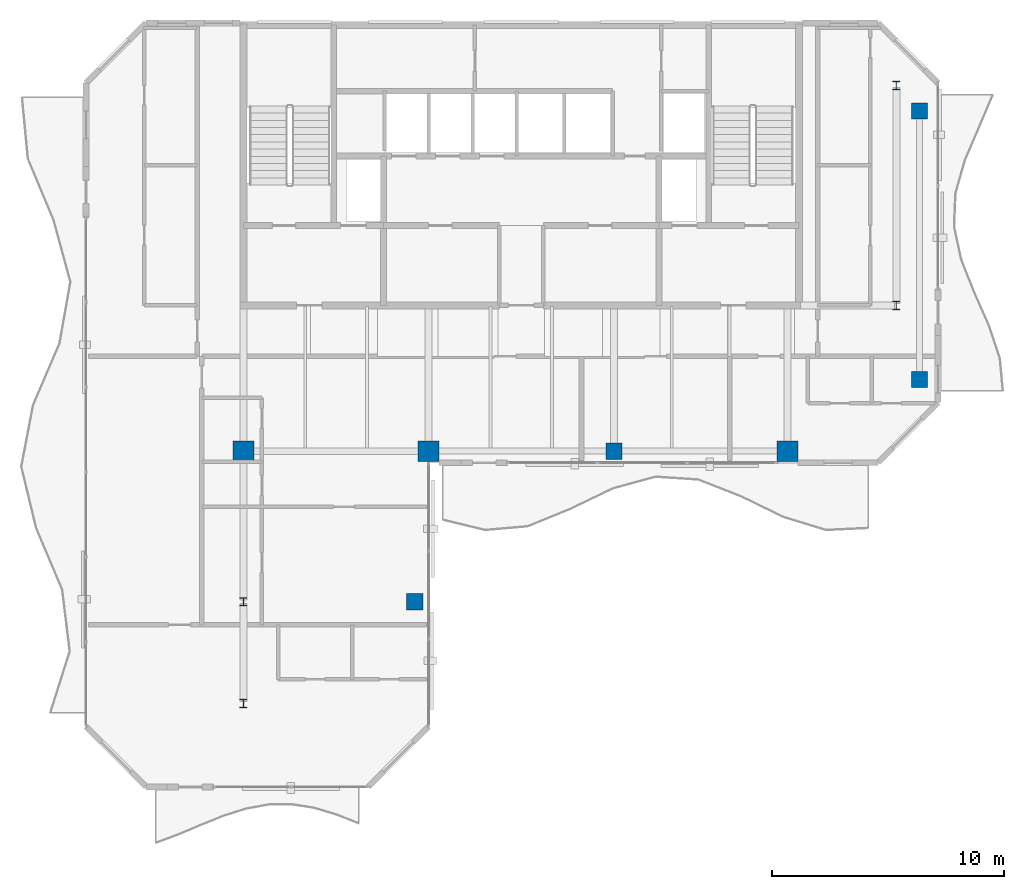
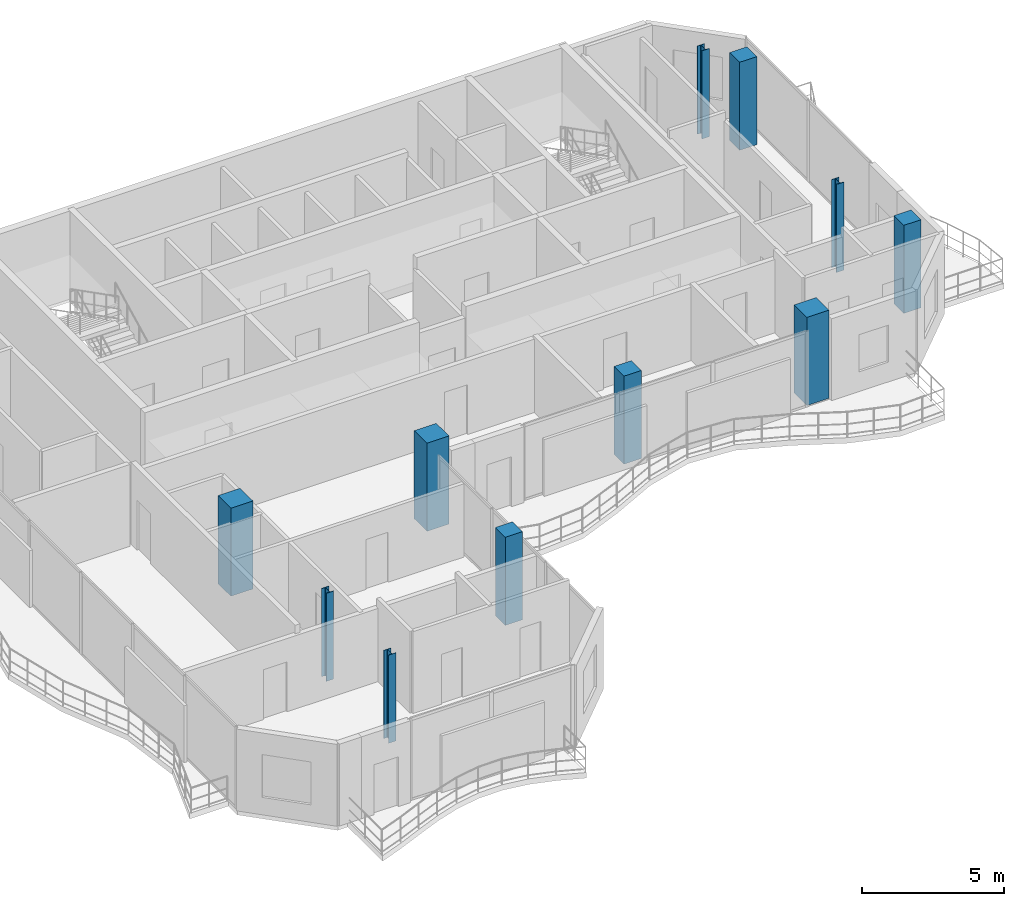
# One storey, part 1 of 17: 11 columns.
"""IFC4 building model written with IfcOpenShell, lengths in metres."""

from ifc_helpers import new_model, si_unit, direction, frame, origin, origin_2d, place, context, subcontext, project, spatial, rectangle, i_section, extrude, material, material_profile, profile_set, type_object, element, save


model = new_model("IFC4")

# Units and contexts
model_context = context("Model", 3, precision=1e-05, world=origin(), true_north=direction((0.0, 1.0)))
body_context = subcontext(model_context, "Body", "Model", "MODEL_VIEW")
ifc_project = project(units=[si_unit("LENGTHUNIT", "METRE"), si_unit("AREAUNIT", "SQUARE_METRE"), si_unit("VOLUMEUNIT", "CUBIC_METRE"), si_unit("PLANEANGLEUNIT", "RADIAN"), si_unit("MASSUNIT", "GRAM", prefix="KILO")], contexts=[model_context])

# Site, building, storey
site_placement = place(None, origin())
site = spatial("IfcSite", under=ifc_project, at=site_placement, CompositionType="ELEMENT")
building_placement = place(site_placement, origin())
building = spatial("IfcBuilding", under=site, at=building_placement, Name="Catumbela Crestline Tower", CompositionType="ELEMENT")
storey_placement = place(building_placement, frame((0.0, 0.0, 279.2)))
storey = spatial("IfcBuildingStorey", under=building, at=storey_placement, Name="L72", CompositionType="ELEMENT", Elevation=279.2)

# Columns
ifc_material_1 = material(Name="Concrete C45/55", Category="concrete")
ifc_material_profile_1 = material_profile(ifc_material_1, rectangle(XDim=0.7, YDim=0.7, at=origin_2d()), Name="RC 700x700")
ifc_profile_set_1 = profile_set([ifc_material_profile_1], Name="Concrete C45/55")
column_type_1 = type_object("IfcColumnType", Name="C-RC700-C45", PredefinedType="COLUMN", material=ifc_profile_set_1)
for number, where, z_axis, x_axis, name in (
    (1, (32.0, 24.5, 0.0), (0.0, 0.0, 1.0), (1.0, 0.0, 0.0), "L72 Column C-32-24 (RC 700x700)"),
    (2, (45.2, 27.6, 0.0), (0.0, 0.0, 1.0), (1.0, 0.0, 0.0), "L72 Column C-46-24 (RC 700x700)"),
    (3, (45.2, 39.2, 0.0), (0.0, 0.0, 1.0), (1.0, 0.0, 0.0), "L72 Column C-46-43 (RC 700x700)"),
    (4, (23.4, 18.0, 0.0), (0.0, 0.0, 1.0), (1.0, 0.0, 0.0), "L72 Column C-24-16 (RC 700x700)"),
):
    element("IfcColumn", number, at=place(storey_placement, frame(where, z_axis=z_axis, x_axis=x_axis)), inside=storey, type_object=column_type_1, Name=name, PredefinedType="COLUMN", context=body_context, shape_type="SweptSolid", body=[
        extrude(rectangle(XDim=0.7, YDim=0.7, at=origin_2d()), origin(), (0.0, 0.0, 1.0), 3.8),
    ])
ifc_material_profile_2 = material_profile(ifc_material_1, rectangle(XDim=0.9, YDim=0.9, at=origin_2d()), Name="RC 900x900")
ifc_profile_set_2 = profile_set([ifc_material_profile_2], Name="Concrete C45/55")
column_type_2 = type_object("IfcColumnType", Name="C-RC900-C45", PredefinedType="COLUMN", material=ifc_profile_set_2)
for number, where, z_axis, x_axis, name in (
    (5, (16.0, 24.5, 0.0), (0.0, 0.0, 1.0), (1.0, 0.0, 0.0), "L72 Column C-16-24 (RC 900x900)"),
    (6, (24.0, 24.5, 0.0), (0.0, 0.0, 1.0), (1.0, 0.0, 0.0), "L72 Column C-24-24 (RC 900x900)"),
    (7, (39.5, 24.5, 0.0), (0.0, 0.0, 1.0), (1.0, 0.0, 0.0), "L72 Column C-40-24 (RC 900x900)"),
):
    element("IfcColumn", number, at=place(storey_placement, frame(where, z_axis=z_axis, x_axis=x_axis)), inside=storey, type_object=column_type_2, Name=name, PredefinedType="COLUMN", context=body_context, shape_type="SweptSolid", body=[
        extrude(rectangle(XDim=0.9, YDim=0.9, at=origin_2d()), origin(), (0.0, 0.0, 1.0), 3.8),
    ])
ifc_material_2 = material(Name="Structural steel S355J2", Category="steel")
ifc_material_profile_3 = material_profile(ifc_material_2, i_section(OverallWidth=0.3, OverallDepth=0.36, WebThickness=0.0125, FlangeThickness=0.0225, FilletRadius=0.027, at=origin_2d()), Name="HEB 360")
ifc_profile_set_3 = profile_set([ifc_material_profile_3], Name="Structural steel S355J2")
column_type_3 = type_object("IfcColumnType", Name="C-ST-HEB360", PredefinedType="COLUMN", material=ifc_profile_set_3)
for number, where, z_axis, x_axis, name in (
    (8, (16.0, 13.6, 0.0), (0.0, 0.0, 1.0), (1.0, 0.0, 0.0), "L72 Column CT-14-10 (HEB 360)"),
    (9, (16.0, 18.0, 0.0), (0.0, 0.0, 1.0), (1.0, 0.0, 0.0), "L72 Column CT-14-16 (HEB 360)"),
    (10, (44.2, 30.8, 0.0), (0.0, 0.0, 1.0), (1.0, 0.0, 0.0), "L72 Column CT-46-31 (HEB 360)"),
    (11, (44.2, 40.3, 0.0), (0.0, 0.0, 1.0), (1.0, 0.0, 0.0), "L72 Column CT-46-37 (HEB 360)"),
):
    element("IfcColumn", number, at=place(storey_placement, frame(where, z_axis=z_axis, x_axis=x_axis)), inside=storey, type_object=column_type_3, Name=name, PredefinedType="COLUMN", context=body_context, shape_type="SweptSolid", body=[
        extrude(i_section(OverallWidth=0.3, OverallDepth=0.36, WebThickness=0.0125, FlangeThickness=0.0225, FilletRadius=0.027, at=origin_2d()), origin(), (0.0, 0.0, 1.0), 3.8),
    ])

save(model, "model.ifc")
